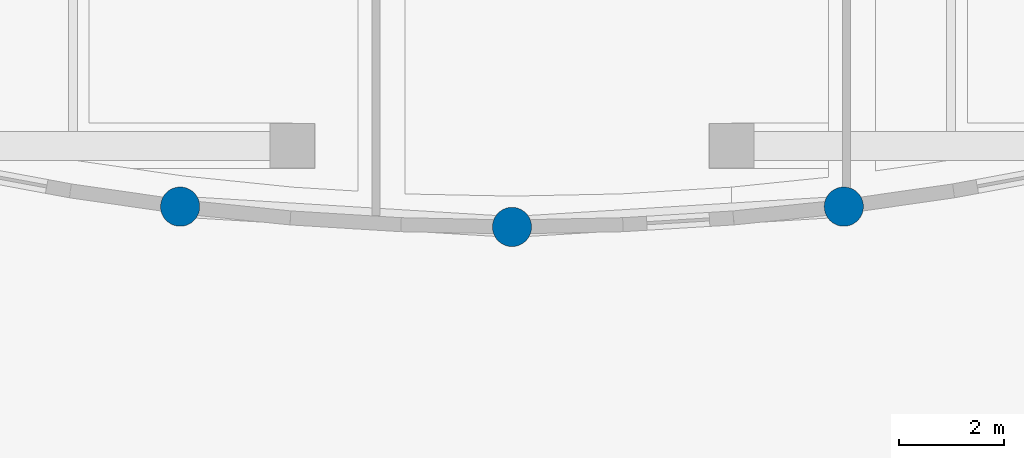
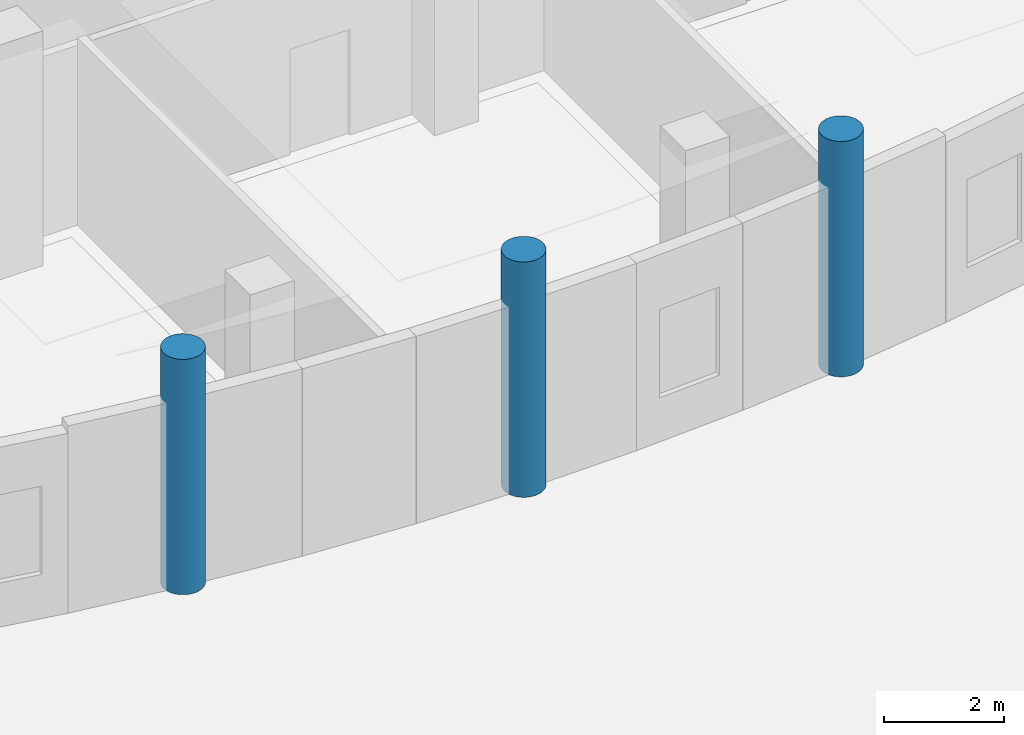
# One storey, part 12 of 97: 3 columns.
"""IFC4 building model written with IfcOpenShell, lengths in metres."""

from ifc_helpers import new_model, si_unit, direction, frame, origin, origin_2d, place, context, subcontext, project, spatial, circle, extrude, material, material_profile, profile_set, type_object, element, save


model = new_model("IFC4")

# Units and contexts
model_context = context("Model", 3, precision=1e-05, world=origin(), true_north=direction((0.0, 1.0)))
body_context = subcontext(model_context, "Body", "Model", "MODEL_VIEW")
ifc_project = project(units=[si_unit("LENGTHUNIT", "METRE"), si_unit("AREAUNIT", "SQUARE_METRE"), si_unit("VOLUMEUNIT", "CUBIC_METRE"), si_unit("PLANEANGLEUNIT", "RADIAN"), si_unit("MASSUNIT", "GRAM", prefix="KILO")], contexts=[model_context])

# Site, building, storey
site_placement = place(None, origin())
site = spatial("IfcSite", under=ifc_project, at=site_placement, CompositionType="ELEMENT")
building_placement = place(site_placement, origin())
building = spatial("IfcBuilding", under=site, at=building_placement, Name="Kisaragi Civic Commons", CompositionType="ELEMENT")
storey_placement = place(building_placement, origin())
storey = spatial("IfcBuildingStorey", under=building, at=storey_placement, Name="L00", CompositionType="ELEMENT", Elevation=0.0)

# Columns
ifc_material = material(Name="Concrete Fc36", Category="concrete")
ifc_material_profile = material_profile(ifc_material, circle(Radius=0.375, at=origin_2d()), Name="RC-D750", Category="concrete")
ifc_profile_set = profile_set([ifc_material_profile], Name="Concrete Fc36")
column_type = type_object("IfcColumnType", Name="C-24", PredefinedType="COLUMN", material=ifc_profile_set)
for number, where, z_axis, x_axis, name in (
    (1, (78.25244140625, 94.839111328125, 0.0), (0.0, 0.0, 1.0), (1.0, 0.0, 0.0), "L00 column C-24 (78.3,94.8)"),
    (2, (84.60009765625, 94.450439453125, 0.0), (0.0, 0.0, 1.0), (1.0, 0.0, 0.0), "L00 column C-24 (84.6,94.5)"),
    (3, (90.947509765625, 94.839111328125, 0.0), (0.0, 0.0, 1.0), (1.0, 0.0, 0.0), "L00 column C-24 (90.9,94.8)"),
):
    element("IfcColumn", number, at=place(storey_placement, frame(where, z_axis=z_axis, x_axis=x_axis)), inside=storey, type_object=column_type, Name=name, PredefinedType="COLUMN", context=body_context, shape_type="SweptSolid", body=[
        extrude(circle(Radius=0.375, at=origin_2d()), origin(), (0.0, 0.0, 1.0), 4.800048828125),
    ])

save(model, "model.ifc")
